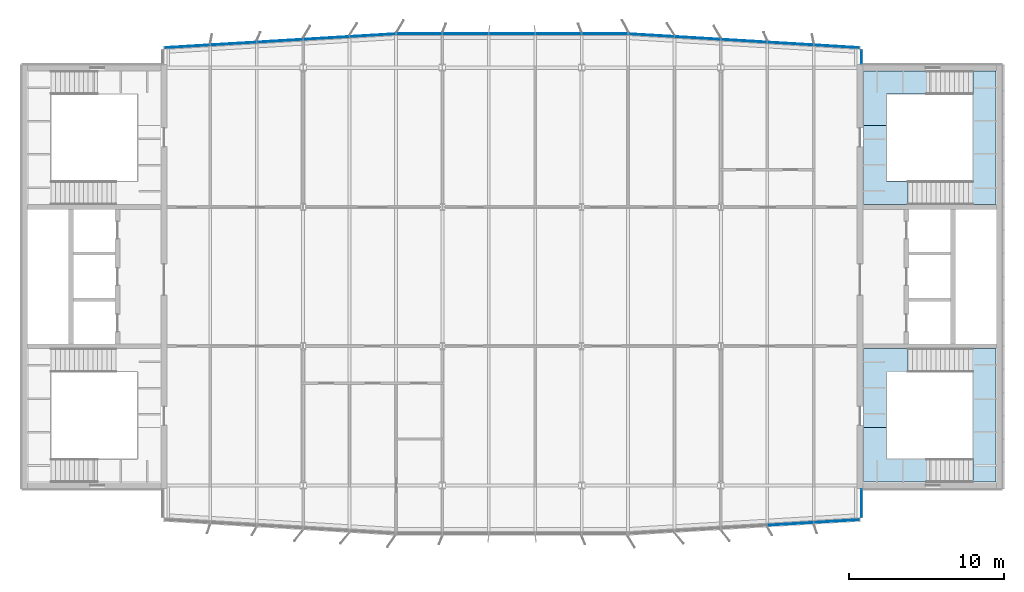
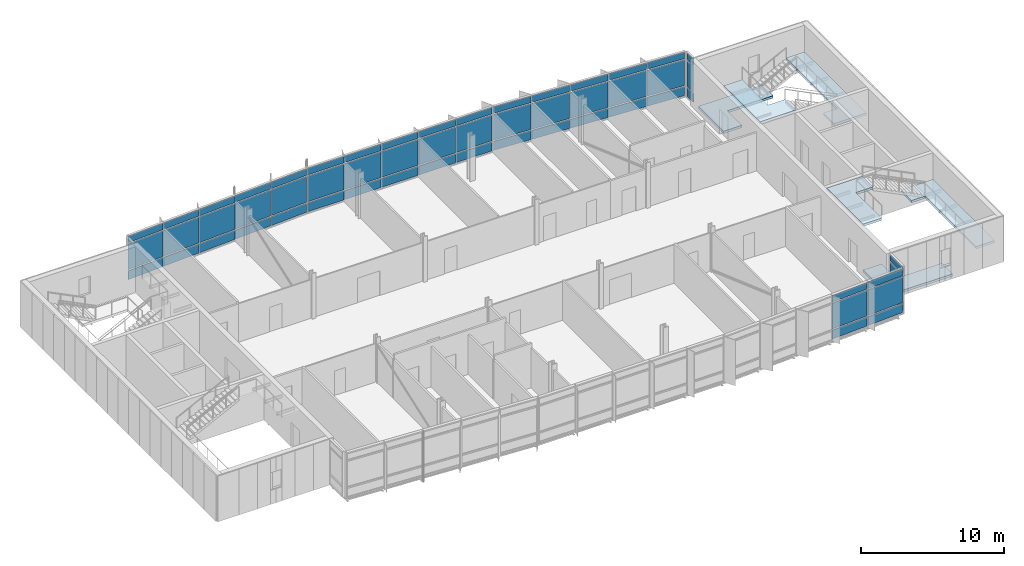
# One storey, part 11 of 18: 57 plates, 6 slabs, 8 elements without a shape of their own.
"""IFC4 building model written with IfcOpenShell, lengths in metres."""

from ifc_helpers import new_model, si_unit, direction, frame, origin, origin_2d, place, context, subcontext, project, spatial, polyline, rectangle, outline, extrude, material, layer, layer_set, type_object, element, aggregate, save


model = new_model("IFC4")

# Units and contexts
model_context = context("Model", 3, precision=1e-05, world=origin(), true_north=direction((0.0, 1.0)))
body_context = subcontext(model_context, "Body", "Model", "MODEL_VIEW")
ifc_project = project(units=[si_unit("LENGTHUNIT", "METRE"), si_unit("AREAUNIT", "SQUARE_METRE"), si_unit("VOLUMEUNIT", "CUBIC_METRE"), si_unit("PLANEANGLEUNIT", "RADIAN"), si_unit("MASSUNIT", "GRAM", prefix="KILO")], contexts=[model_context])

# Site, building, storey
site_placement = place(None, origin())
site = spatial("IfcSite", under=ifc_project, at=site_placement, CompositionType="ELEMENT")
building_placement = place(site_placement, origin())
building = spatial("IfcBuilding", under=site, at=building_placement, Name="Azimuth Sports and Learning Centre", CompositionType="ELEMENT")
storey_placement = place(building_placement, frame((0.0, 0.0, 55.800048828125)))
storey = spatial("IfcBuildingStorey", under=building, at=storey_placement, Name="L12", CompositionType="ELEMENT", Elevation=55.800048828125)

# Stair, slabs
ifc_material_1 = material(Name="Concrete C32/40", Category="concrete")
stair_type = type_object("IfcStairType", Name="Square-well stair core 3900 storey", PredefinedType="THREE_QUARTER_TURN_STAIR", material=ifc_material_1)
stair_1_placement = place(storey_placement, origin())
stair_1 = element("IfcStair", 1, at=stair_1_placement, inside=storey, type_object=stair_type, Name="Stair E1 L12-L13", PredefinedType="THREE_QUARTER_TURN_STAIR")
ifc_material_2 = material(Name="Concrete C32/40", Category="concrete")
ifc_layer_1 = layer(ifc_material_2, 0.199951171875)
ifc_layer_set_1 = layer_set([ifc_layer_1], Name="Concrete C32/40")
slab_type = type_object("IfcSlabType", Name="Concrete stair landing", PredefinedType="LANDING", material=ifc_layer_set_1)
slab_1_placement = place(storey_placement, frame((0.0, 0.0, -0.199951171875)))
slab_1 = element("IfcSlab", 2, at=slab_1_placement, type_object=slab_type, Name="Stair E1 L12 landing 1", PredefinedType="LANDING", context=body_context, shape_type="SweptSolid", body=[
    extrude(outline(polyline([(113.389892578125, 91.7099609375), (109.7099609375, 91.7099609375), (109.7099609375, 93.75), (108.2099609375, 93.75), (108.2099609375, 90.2099609375), (113.389892578125, 90.2099609375), (113.389892578125, 91.7099609375)])), origin(), (0.0, 0.0, 1.0), 0.199951171875),
])
slab_2_placement = place(storey_placement, frame((0.0, 0.0, 1.449951171875)))
slab_2 = element("IfcSlab", 3, at=slab_2_placement, type_object=slab_type, Name="Stair E1 L12 landing 2", PredefinedType="LANDING", context=body_context, shape_type="SweptSolid", body=[
    extrude(outline(polyline([(115.2900390625, 91.7099609375), (115.289306640625, 91.7099609375), (115.289306640625, 90.2099609375), (116.7900390625, 90.2099609375), (116.7900390625, 98.840087890625), (114.18994140625, 98.840087890625), (114.18994140625, 97.340087890625), (115.2900390625, 97.340087890625), (115.2900390625, 91.7099609375)])), origin(), (0.0, 0.0, 1.0), 0.199951171875),
])
slab_3_placement = place(storey_placement, frame((0.0, 0.0, 3.699951171875)))
slab_3 = element("IfcSlab", 4, at=slab_3_placement, type_object=slab_type, Name="Stair E1 L12 landing 3", PredefinedType="LANDING", context=body_context, shape_type="SweptSolid", body=[
    extrude(outline(polyline([(109.7099609375, 97.340087890625), (111.0908203125, 97.340087890625), (111.0908203125, 98.840087890625), (108.2099609375, 98.840087890625), (108.2099609375, 93.75), (109.7099609375, 93.75), (109.7099609375, 97.340087890625)])), origin(), (0.0, 0.0, 1.0), 0.199951171875),
])
aggregate(stair_1, [slab_1, slab_2, slab_3])

stair_2_placement = place(storey_placement, origin())
stair_2 = element("IfcStair", 5, at=stair_2_placement, inside=storey, type_object=stair_type, Name="Stair E2 L12-L13", PredefinedType="THREE_QUARTER_TURN_STAIR")
slab_4_placement = place(storey_placement, frame((0.0, 0.0, -0.199951171875)))
slab_4 = element("IfcSlab", 6, at=slab_4_placement, type_object=slab_type, Name="Stair E2 L12 landing 1", PredefinedType="LANDING", context=body_context, shape_type="SweptSolid", body=[
    extrude(outline(polyline([(108.2099609375, 116.7900390625), (108.2099609375, 113.25), (109.7099609375, 113.25), (109.7099609375, 115.2900390625), (113.389892578125, 115.2900390625), (113.389892578125, 116.7900390625), (108.2099609375, 116.7900390625)])), origin(), (0.0, 0.0, 1.0), 0.199951171875),
])
slab_5_placement = place(storey_placement, frame((0.0, 0.0, 1.449951171875)))
slab_5 = element("IfcSlab", 7, at=slab_5_placement, type_object=slab_type, Name="Stair E2 L12 landing 2", PredefinedType="LANDING", context=body_context, shape_type="SweptSolid", body=[
    extrude(outline(polyline([(115.2900390625, 115.2900390625), (115.2900390625, 109.659912109375), (114.18994140625, 109.659912109375), (114.18994140625, 108.159912109375), (116.7900390625, 108.159912109375), (116.7900390625, 116.7900390625), (115.289306640625, 116.7900390625), (115.289306640625, 115.2900390625), (115.2900390625, 115.2900390625)])), origin(), (0.0, 0.0, 1.0), 0.199951171875),
])
slab_6_placement = place(storey_placement, frame((0.0, 0.0, 3.699951171875)))
slab_6 = element("IfcSlab", 8, at=slab_6_placement, type_object=slab_type, Name="Stair E2 L12 landing 3", PredefinedType="LANDING", context=body_context, shape_type="SweptSolid", body=[
    extrude(outline(polyline([(109.7099609375, 109.659912109375), (109.7099609375, 113.25), (108.2099609375, 113.25), (108.2099609375, 108.159912109375), (111.0908203125, 108.159912109375), (111.0908203125, 109.659912109375), (109.7099609375, 109.659912109375)])), origin(), (0.0, 0.0, 1.0), 0.199951171875),
])
aggregate(stair_2, [slab_4, slab_5, slab_6])

# Curtain wall, plates
ifc_material_3 = material(Name="Aluminium and glass", Category="aluminium")
curtain_wall_type_1 = type_object("IfcCurtainWallType", Name="Curtain wall tower south 240", PredefinedType="NOTDEFINED", material=ifc_material_3)
curtain_wall_1_placement = place(storey_placement, origin())
curtain_wall_1 = element("IfcCurtainWall", 9, at=curtain_wall_1_placement, inside=storey, type_object=curtain_wall_type_1, Name="Curtain wall CW12-004", PredefinedType="NOTDEFINED")
ifc_material_4 = material(Name="Insulated aluminium panel", Category="aluminium")
ifc_layer_2 = layer(ifc_material_4, 0.050048828125)
ifc_layer_set_2 = layer_set([ifc_layer_2], Name="Insulated aluminium panel")
plate_type_1 = type_object("IfcPlateType", Name="Spandrel panel 50 mm", PredefinedType="CURTAIN_PANEL", material=ifc_layer_set_2)
plate_1_placement = place(storey_placement, frame((103.507080078125, 87.51025390625, 0.099853515625), z_axis=(0.0, 0.0, 1.0), x_axis=(0.998204863401, 0.059891991812, 0.0)))
plate_1 = element("IfcPlate", 10, at=plate_1_placement, type_object=plate_type_1, Name="CW12-004 panel 4.1", PredefinedType="CURTAIN_PANEL", context=body_context, shape_type="SweptSolid", body=[
    extrude(rectangle(XDim=2.935302734375, YDim=0.050048828125, at=origin_2d()), origin(), (0.0, 0.0, 1.0), 0.75),
])
plate_2_placement = place(storey_placement, frame((103.507080078125, 87.51025390625, 3.25), z_axis=(0.0, 0.0, 1.0), x_axis=(0.998204863401, 0.059891991812, 0.0)))
plate_2 = element("IfcPlate", 11, at=plate_2_placement, type_object=plate_type_1, Name="CW12-004 panel 4.3", PredefinedType="CURTAIN_PANEL", context=body_context, shape_type="SweptSolid", body=[
    extrude(rectangle(XDim=2.935302734375, YDim=0.050048828125, at=origin_2d()), origin(), (0.0, 0.0, 1.0), 0.550048828125),
])
plate_3_placement = place(storey_placement, frame((106.48974609375, 87.689208984375, 0.099853515625), z_axis=(0.0, 0.0, 1.0), x_axis=(0.998204863401, 0.059891991812, 0.0)))
plate_3 = element("IfcPlate", 12, at=plate_3_placement, type_object=plate_type_1, Name="CW12-004 panel 5.1", PredefinedType="CURTAIN_PANEL", context=body_context, shape_type="SweptSolid", body=[
    extrude(rectangle(XDim=2.900390625, YDim=0.050048828125, at=origin_2d()), origin(), (0.0, 0.0, 1.0), 0.75),
])
plate_4_placement = place(storey_placement, frame((106.48974609375, 87.689208984375, 3.25), z_axis=(0.0, 0.0, 1.0), x_axis=(0.998204863401, 0.059891991812, 0.0)))
plate_4 = element("IfcPlate", 13, at=plate_4_placement, type_object=plate_type_1, Name="CW12-004 panel 5.3", PredefinedType="CURTAIN_PANEL", context=body_context, shape_type="SweptSolid", body=[
    extrude(rectangle(XDim=2.900390625, YDim=0.050048828125, at=origin_2d()), origin(), (0.0, 0.0, 1.0), 0.550048828125),
])

ifc_material_5 = material(Name="Aluminium and glass", Category="aluminium")
curtain_wall_type_2 = type_object("IfcCurtainWallType", Name="Curtain wall tower return 180", PredefinedType="NOTDEFINED", material=ifc_material_5)
curtain_wall_2_placement = place(storey_placement, origin())
curtain_wall_2 = element("IfcCurtainWall", 14, at=curtain_wall_2_placement, inside=storey, type_object=curtain_wall_type_2, Name="Curtain wall CW12-005", PredefinedType="NOTDEFINED")
plate_5_placement = place(storey_placement, frame((108.090087890625, 88.85009765625, 0.099853515625), z_axis=(0.0, 0.0, 1.0), x_axis=(0.0, 1.0, 0.0)))
plate_5 = element("IfcPlate", 15, at=plate_5_placement, type_object=plate_type_1, Name="CW12-005 panel 1.1", PredefinedType="CURTAIN_PANEL", context=body_context, shape_type="SweptSolid", body=[
    extrude(rectangle(XDim=1.780029296875, YDim=0.050048828125, at=origin_2d()), origin(), (0.0, 0.0, 1.0), 0.75),
])
plate_6_placement = place(storey_placement, frame((108.090087890625, 88.85009765625, 3.25), z_axis=(0.0, 0.0, 1.0), x_axis=(0.0, 1.0, 0.0)))
plate_6 = element("IfcPlate", 16, at=plate_6_placement, type_object=plate_type_1, Name="CW12-005 panel 1.3", PredefinedType="CURTAIN_PANEL", context=body_context, shape_type="SweptSolid", body=[
    extrude(rectangle(XDim=1.780029296875, YDim=0.050048828125, at=origin_2d()), origin(), (0.0, 0.0, 1.0), 0.550048828125),
])

curtain_wall_3_placement = place(storey_placement, origin())
curtain_wall_3 = element("IfcCurtainWall", 17, at=curtain_wall_3_placement, inside=storey, type_object=curtain_wall_type_2, Name="Curtain wall CW12-006", PredefinedType="NOTDEFINED")
plate_7_placement = place(storey_placement, frame((108.090087890625, 117.699951171875, 0.099853515625), z_axis=(0.0, 0.0, 1.0), x_axis=(0.0, 1.0, 0.0)))
plate_7 = element("IfcPlate", 18, at=plate_7_placement, type_object=plate_type_1, Name="CW12-006 panel 1.1", PredefinedType="CURTAIN_PANEL", context=body_context, shape_type="SweptSolid", body=[
    extrude(rectangle(XDim=0.8798828125, YDim=0.050048828125, at=origin_2d()), origin(), (0.0, 0.0, 1.0), 0.75),
])
plate_8_placement = place(storey_placement, frame((108.090087890625, 117.699951171875, 3.25), z_axis=(0.0, 0.0, 1.0), x_axis=(0.0, 1.0, 0.0)))
plate_8 = element("IfcPlate", 19, at=plate_8_placement, type_object=plate_type_1, Name="CW12-006 panel 1.3", PredefinedType="CURTAIN_PANEL", context=body_context, shape_type="SweptSolid", body=[
    extrude(rectangle(XDim=0.8798828125, YDim=0.050048828125, at=origin_2d()), origin(), (0.0, 0.0, 1.0), 0.550048828125),
])

ifc_material_6 = material(Name="Aluminium and glass", Category="aluminium")
curtain_wall_type_3 = type_object("IfcCurtainWallType", Name="Curtain wall tower north 180", PredefinedType="NOTDEFINED", material=ifc_material_6)
curtain_wall_4_placement = place(storey_placement, origin())
curtain_wall_4 = element("IfcCurtainWall", 20, at=curtain_wall_4_placement, inside=storey, type_object=curtain_wall_type_3, Name="Curtain wall CW12-007", PredefinedType="NOTDEFINED")
plate_9_placement = place(storey_placement, frame((106.490478515625, 118.380615234375, 0.099853515625), z_axis=(0.0, 0.0, 1.0), x_axis=(-0.998204863401, 0.059891991812, 0.0)))
plate_9 = element("IfcPlate", 21, at=plate_9_placement, type_object=plate_type_1, Name="CW12-007 panel 1.1", PredefinedType="CURTAIN_PANEL", context=body_context, shape_type="SweptSolid", body=[
    extrude(rectangle(XDim=2.915283203125, YDim=0.050048828125, at=origin_2d()), origin(), (0.0, 0.0, 1.0), 0.75),
])
plate_10_placement = place(storey_placement, frame((106.490478515625, 118.380615234375, 3.25), z_axis=(0.0, 0.0, 1.0), x_axis=(-0.998204863401, 0.059891991812, 0.0)))
plate_10 = element("IfcPlate", 22, at=plate_10_placement, type_object=plate_type_1, Name="CW12-007 panel 1.3", PredefinedType="CURTAIN_PANEL", context=body_context, shape_type="SweptSolid", body=[
    extrude(rectangle(XDim=2.915283203125, YDim=0.050048828125, at=origin_2d()), origin(), (0.0, 0.0, 1.0), 0.550048828125),
])
plate_11_placement = place(storey_placement, frame((103.50537109375, 118.559814453125, 0.099853515625), z_axis=(0.0, 0.0, 1.0), x_axis=(-0.998204863401, 0.059891991812, 0.0)))
plate_11 = element("IfcPlate", 23, at=plate_11_placement, type_object=plate_type_1, Name="CW12-007 panel 2.1", PredefinedType="CURTAIN_PANEL", context=body_context, shape_type="SweptSolid", body=[
    extrude(rectangle(XDim=2.9453125, YDim=0.050048828125, at=origin_2d()), origin(), (0.0, 0.0, 1.0), 0.75),
])
plate_12_placement = place(storey_placement, frame((103.50537109375, 118.559814453125, 3.25), z_axis=(0.0, 0.0, 1.0), x_axis=(-0.998204863401, 0.059891991812, 0.0)))
plate_12 = element("IfcPlate", 24, at=plate_12_placement, type_object=plate_type_1, Name="CW12-007 panel 2.3", PredefinedType="CURTAIN_PANEL", context=body_context, shape_type="SweptSolid", body=[
    extrude(rectangle(XDim=2.9453125, YDim=0.050048828125, at=origin_2d()), origin(), (0.0, 0.0, 1.0), 0.550048828125),
])
plate_13_placement = place(storey_placement, frame((100.50537109375, 118.73974609375, 0.099853515625), z_axis=(0.0, 0.0, 1.0), x_axis=(-0.998204863401, 0.059891991812, 0.0)))
plate_13 = element("IfcPlate", 25, at=plate_13_placement, type_object=plate_type_1, Name="CW12-007 panel 3.1", PredefinedType="CURTAIN_PANEL", context=body_context, shape_type="SweptSolid", body=[
    extrude(rectangle(XDim=2.9453125, YDim=0.050048828125, at=origin_2d()), origin(), (0.0, 0.0, 1.0), 0.75),
])
plate_14_placement = place(storey_placement, frame((100.50537109375, 118.73974609375, 3.25), z_axis=(0.0, 0.0, 1.0), x_axis=(-0.998204863401, 0.059891991812, 0.0)))
plate_14 = element("IfcPlate", 26, at=plate_14_placement, type_object=plate_type_1, Name="CW12-007 panel 3.3", PredefinedType="CURTAIN_PANEL", context=body_context, shape_type="SweptSolid", body=[
    extrude(rectangle(XDim=2.9453125, YDim=0.050048828125, at=origin_2d()), origin(), (0.0, 0.0, 1.0), 0.550048828125),
])
plate_15_placement = place(storey_placement, frame((97.50537109375, 118.919921875, 0.099853515625), z_axis=(0.0, 0.0, 1.0), x_axis=(-0.998204863401, 0.059891991812, 0.0)))
plate_15 = element("IfcPlate", 27, at=plate_15_placement, type_object=plate_type_1, Name="CW12-007 panel 4.1", PredefinedType="CURTAIN_PANEL", context=body_context, shape_type="SweptSolid", body=[
    extrude(rectangle(XDim=2.9453125, YDim=0.050048828125, at=origin_2d()), origin(), (0.0, 0.0, 1.0), 0.75),
])
plate_16_placement = place(storey_placement, frame((97.50537109375, 118.919921875, 3.25), z_axis=(0.0, 0.0, 1.0), x_axis=(-0.998204863401, 0.059891991812, 0.0)))
plate_16 = element("IfcPlate", 28, at=plate_16_placement, type_object=plate_type_1, Name="CW12-007 panel 4.3", PredefinedType="CURTAIN_PANEL", context=body_context, shape_type="SweptSolid", body=[
    extrude(rectangle(XDim=2.9453125, YDim=0.050048828125, at=origin_2d()), origin(), (0.0, 0.0, 1.0), 0.550048828125),
])
plate_17_placement = place(storey_placement, frame((94.520263671875, 119.098876953125, 0.099853515625), z_axis=(0.0, 0.0, 1.0), x_axis=(-0.998204863401, 0.059891991812, 0.0)))
plate_17 = element("IfcPlate", 29, at=plate_17_placement, type_object=plate_type_1, Name="CW12-007 panel 5.1", PredefinedType="CURTAIN_PANEL", context=body_context, shape_type="SweptSolid", body=[
    extrude(rectangle(XDim=2.915283203125, YDim=0.050048828125, at=origin_2d()), origin(), (0.0, 0.0, 1.0), 0.75),
])
plate_18_placement = place(storey_placement, frame((94.520263671875, 119.098876953125, 3.25), z_axis=(0.0, 0.0, 1.0), x_axis=(-0.998204863401, 0.059891991812, 0.0)))
plate_18 = element("IfcPlate", 30, at=plate_18_placement, type_object=plate_type_1, Name="CW12-007 panel 5.3", PredefinedType="CURTAIN_PANEL", context=body_context, shape_type="SweptSolid", body=[
    extrude(rectangle(XDim=2.915283203125, YDim=0.050048828125, at=origin_2d()), origin(), (0.0, 0.0, 1.0), 0.550048828125),
])

curtain_wall_5_placement = place(storey_placement, origin())
curtain_wall_5 = element("IfcCurtainWall", 31, at=curtain_wall_5_placement, inside=storey, type_object=curtain_wall_type_3, Name="Curtain wall CW12-008", PredefinedType="NOTDEFINED")
plate_19_placement = place(storey_placement, frame((91.48779296875, 119.18994140625, 0.099853515625), z_axis=(0.0, 0.0, 1.0), x_axis=(-1.0, 0.0, 0.0)))
plate_19 = element("IfcPlate", 32, at=plate_19_placement, type_object=plate_type_1, Name="CW12-008 panel 1.1", PredefinedType="CURTAIN_PANEL", context=body_context, shape_type="SweptSolid", body=[
    extrude(rectangle(XDim=2.915283203125, YDim=0.050048828125, at=origin_2d()), origin(), (0.0, 0.0, 1.0), 0.75),
])
plate_20_placement = place(storey_placement, frame((91.48779296875, 119.18994140625, 3.25), z_axis=(0.0, 0.0, 1.0), x_axis=(-1.0, 0.0, 0.0)))
plate_20 = element("IfcPlate", 33, at=plate_20_placement, type_object=plate_type_1, Name="CW12-008 panel 1.3", PredefinedType="CURTAIN_PANEL", context=body_context, shape_type="SweptSolid", body=[
    extrude(rectangle(XDim=2.915283203125, YDim=0.050048828125, at=origin_2d()), origin(), (0.0, 0.0, 1.0), 0.550048828125),
])
plate_21_placement = place(storey_placement, frame((88.5, 119.18994140625, 0.099853515625), z_axis=(0.0, 0.0, 1.0), x_axis=(-1.0, 0.0, 0.0)))
plate_21 = element("IfcPlate", 34, at=plate_21_placement, type_object=plate_type_1, Name="CW12-008 panel 2.1", PredefinedType="CURTAIN_PANEL", context=body_context, shape_type="SweptSolid", body=[
    extrude(rectangle(XDim=2.93994140625, YDim=0.050048828125, at=origin_2d()), origin(), (0.0, 0.0, 1.0), 0.75),
])
plate_22_placement = place(storey_placement, frame((88.5, 119.18994140625, 3.25), z_axis=(0.0, 0.0, 1.0), x_axis=(-1.0, 0.0, 0.0)))
plate_22 = element("IfcPlate", 35, at=plate_22_placement, type_object=plate_type_1, Name="CW12-008 panel 2.3", PredefinedType="CURTAIN_PANEL", context=body_context, shape_type="SweptSolid", body=[
    extrude(rectangle(XDim=2.93994140625, YDim=0.050048828125, at=origin_2d()), origin(), (0.0, 0.0, 1.0), 0.550048828125),
])
plate_23_placement = place(storey_placement, frame((85.5, 119.18994140625, 0.099853515625), z_axis=(0.0, 0.0, 1.0), x_axis=(-1.0, 0.0, 0.0)))
plate_23 = element("IfcPlate", 36, at=plate_23_placement, type_object=plate_type_1, Name="CW12-008 panel 3.1", PredefinedType="CURTAIN_PANEL", context=body_context, shape_type="SweptSolid", body=[
    extrude(rectangle(XDim=2.93994140625, YDim=0.050048828125, at=origin_2d()), origin(), (0.0, 0.0, 1.0), 0.75),
])
plate_24_placement = place(storey_placement, frame((85.5, 119.18994140625, 3.25), z_axis=(0.0, 0.0, 1.0), x_axis=(-1.0, 0.0, 0.0)))
plate_24 = element("IfcPlate", 37, at=plate_24_placement, type_object=plate_type_1, Name="CW12-008 panel 3.3", PredefinedType="CURTAIN_PANEL", context=body_context, shape_type="SweptSolid", body=[
    extrude(rectangle(XDim=2.93994140625, YDim=0.050048828125, at=origin_2d()), origin(), (0.0, 0.0, 1.0), 0.550048828125),
])
plate_25_placement = place(storey_placement, frame((82.5, 119.18994140625, 0.099853515625), z_axis=(0.0, 0.0, 1.0), x_axis=(-1.0, 0.0, 0.0)))
plate_25 = element("IfcPlate", 38, at=plate_25_placement, type_object=plate_type_1, Name="CW12-008 panel 4.1", PredefinedType="CURTAIN_PANEL", context=body_context, shape_type="SweptSolid", body=[
    extrude(rectangle(XDim=2.93994140625, YDim=0.050048828125, at=origin_2d()), origin(), (0.0, 0.0, 1.0), 0.75),
])
plate_26_placement = place(storey_placement, frame((82.5, 119.18994140625, 3.25), z_axis=(0.0, 0.0, 1.0), x_axis=(-1.0, 0.0, 0.0)))
plate_26 = element("IfcPlate", 39, at=plate_26_placement, type_object=plate_type_1, Name="CW12-008 panel 4.3", PredefinedType="CURTAIN_PANEL", context=body_context, shape_type="SweptSolid", body=[
    extrude(rectangle(XDim=2.93994140625, YDim=0.050048828125, at=origin_2d()), origin(), (0.0, 0.0, 1.0), 0.550048828125),
])
plate_27_placement = place(storey_placement, frame((79.514892578125, 119.18994140625, 0.099853515625), z_axis=(0.0, 0.0, 1.0), x_axis=(-1.0, 0.0, 0.0)))
plate_27 = element("IfcPlate", 40, at=plate_27_placement, type_object=plate_type_1, Name="CW12-008 panel 5.1", PredefinedType="CURTAIN_PANEL", context=body_context, shape_type="SweptSolid", body=[
    extrude(rectangle(XDim=2.909912109375, YDim=0.050048828125, at=origin_2d()), origin(), (0.0, 0.0, 1.0), 0.75),
])
plate_28_placement = place(storey_placement, frame((79.514892578125, 119.18994140625, 3.25), z_axis=(0.0, 0.0, 1.0), x_axis=(-1.0, 0.0, 0.0)))
plate_28 = element("IfcPlate", 41, at=plate_28_placement, type_object=plate_type_1, Name="CW12-008 panel 5.3", PredefinedType="CURTAIN_PANEL", context=body_context, shape_type="SweptSolid", body=[
    extrude(rectangle(XDim=2.909912109375, YDim=0.050048828125, at=origin_2d()), origin(), (0.0, 0.0, 1.0), 0.550048828125),
])

curtain_wall_6_placement = place(storey_placement, origin())
curtain_wall_6 = element("IfcCurtainWall", 42, at=curtain_wall_6_placement, inside=storey, type_object=curtain_wall_type_3, Name="Curtain wall CW12-009", PredefinedType="NOTDEFINED")
plate_29_placement = place(storey_placement, frame((76.482421875, 119.09912109375, 0.099853515625), z_axis=(0.0, 0.0, 1.0), x_axis=(-0.998204863401, -0.059891991812, 0.0)))
plate_29 = element("IfcPlate", 43, at=plate_29_placement, type_object=plate_type_1, Name="CW12-009 panel 1.1", PredefinedType="CURTAIN_PANEL", context=body_context, shape_type="SweptSolid", body=[
    extrude(rectangle(XDim=2.9208984375, YDim=0.050048828125, at=origin_2d()), origin(), (0.0, 0.0, 1.0), 0.75),
])
plate_30_placement = place(storey_placement, frame((76.482421875, 119.09912109375, 3.25), z_axis=(0.0, 0.0, 1.0), x_axis=(-0.998204863401, -0.059891991812, 0.0)))
plate_30 = element("IfcPlate", 44, at=plate_30_placement, type_object=plate_type_1, Name="CW12-009 panel 1.3", PredefinedType="CURTAIN_PANEL", context=body_context, shape_type="SweptSolid", body=[
    extrude(rectangle(XDim=2.9208984375, YDim=0.050048828125, at=origin_2d()), origin(), (0.0, 0.0, 1.0), 0.550048828125),
])
plate_31_placement = place(storey_placement, frame((73.49462890625, 118.919921875, 0.099853515625), z_axis=(0.0, 0.0, 1.0), x_axis=(-0.998204863401, -0.059891991812, 0.0)))
plate_31 = element("IfcPlate", 45, at=plate_31_placement, type_object=plate_type_1, Name="CW12-009 panel 2.1", PredefinedType="CURTAIN_PANEL", context=body_context, shape_type="SweptSolid", body=[
    extrude(rectangle(XDim=2.9453125, YDim=0.050048828125, at=origin_2d()), origin(), (0.0, 0.0, 1.0), 0.75),
])
plate_32_placement = place(storey_placement, frame((73.49462890625, 118.919921875, 3.25), z_axis=(0.0, 0.0, 1.0), x_axis=(-0.998204863401, -0.059891991812, 0.0)))
plate_32 = element("IfcPlate", 46, at=plate_32_placement, type_object=plate_type_1, Name="CW12-009 panel 2.3", PredefinedType="CURTAIN_PANEL", context=body_context, shape_type="SweptSolid", body=[
    extrude(rectangle(XDim=2.9453125, YDim=0.050048828125, at=origin_2d()), origin(), (0.0, 0.0, 1.0), 0.550048828125),
])
plate_33_placement = place(storey_placement, frame((70.49462890625, 118.73974609375, 0.099853515625), z_axis=(0.0, 0.0, 1.0), x_axis=(-0.998204863401, -0.059891991812, 0.0)))
plate_33 = element("IfcPlate", 47, at=plate_33_placement, type_object=plate_type_1, Name="CW12-009 panel 3.1", PredefinedType="CURTAIN_PANEL", context=body_context, shape_type="SweptSolid", body=[
    extrude(rectangle(XDim=2.9453125, YDim=0.050048828125, at=origin_2d()), origin(), (0.0, 0.0, 1.0), 0.75),
])
plate_34_placement = place(storey_placement, frame((70.49462890625, 118.73974609375, 3.25), z_axis=(0.0, 0.0, 1.0), x_axis=(-0.998204863401, -0.059891991812, 0.0)))
plate_34 = element("IfcPlate", 48, at=plate_34_placement, type_object=plate_type_1, Name="CW12-009 panel 3.3", PredefinedType="CURTAIN_PANEL", context=body_context, shape_type="SweptSolid", body=[
    extrude(rectangle(XDim=2.9453125, YDim=0.050048828125, at=origin_2d()), origin(), (0.0, 0.0, 1.0), 0.550048828125),
])
plate_35_placement = place(storey_placement, frame((67.49462890625, 118.559814453125, 0.099853515625), z_axis=(0.0, 0.0, 1.0), x_axis=(-0.998204863401, -0.059891991812, 0.0)))
plate_35 = element("IfcPlate", 49, at=plate_35_placement, type_object=plate_type_1, Name="CW12-009 panel 4.1", PredefinedType="CURTAIN_PANEL", context=body_context, shape_type="SweptSolid", body=[
    extrude(rectangle(XDim=2.9453125, YDim=0.050048828125, at=origin_2d()), origin(), (0.0, 0.0, 1.0), 0.75),
])
plate_36_placement = place(storey_placement, frame((67.49462890625, 118.559814453125, 3.25), z_axis=(0.0, 0.0, 1.0), x_axis=(-0.998204863401, -0.059891991812, 0.0)))
plate_36 = element("IfcPlate", 50, at=plate_36_placement, type_object=plate_type_1, Name="CW12-009 panel 4.3", PredefinedType="CURTAIN_PANEL", context=body_context, shape_type="SweptSolid", body=[
    extrude(rectangle(XDim=2.9453125, YDim=0.050048828125, at=origin_2d()), origin(), (0.0, 0.0, 1.0), 0.550048828125),
])
plate_37_placement = place(storey_placement, frame((64.509521484375, 118.380859375, 0.099853515625), z_axis=(0.0, 0.0, 1.0), x_axis=(-0.998204863401, -0.059891991812, 0.0)))
plate_37 = element("IfcPlate", 51, at=plate_37_placement, type_object=plate_type_1, Name="CW12-009 panel 5.1", PredefinedType="CURTAIN_PANEL", context=body_context, shape_type="SweptSolid", body=[
    extrude(rectangle(XDim=2.915283203125, YDim=0.050048828125, at=origin_2d()), origin(), (0.0, 0.0, 1.0), 0.75),
])
plate_38_placement = place(storey_placement, frame((64.509521484375, 118.380859375, 3.25), z_axis=(0.0, 0.0, 1.0), x_axis=(-0.998204863401, -0.059891991812, 0.0)))
plate_38 = element("IfcPlate", 52, at=plate_38_placement, type_object=plate_type_1, Name="CW12-009 panel 5.3", PredefinedType="CURTAIN_PANEL", context=body_context, shape_type="SweptSolid", body=[
    extrude(rectangle(XDim=2.915283203125, YDim=0.050048828125, at=origin_2d()), origin(), (0.0, 0.0, 1.0), 0.550048828125),
])

# Plate
ifc_material_7 = material(Name="Glass", Category="glass")
ifc_layer_3 = layer(ifc_material_7, 0.031982421875)
ifc_layer_set_3 = layer_set([ifc_layer_3], Name="Glass")
plate_type_2 = type_object("IfcPlateType", Name="Vision glass 32 mm", PredefinedType="CURTAIN_PANEL", material=ifc_layer_set_3)
plate_39_placement = place(storey_placement, frame((103.507080078125, 87.51025390625, 0.9501953125), z_axis=(0.0, 0.0, 1.0), x_axis=(0.998204863401, 0.059891991812, 0.0)))
plate_39 = element("IfcPlate", 53, at=plate_39_placement, type_object=plate_type_2, Name="CW12-004 panel 4.2", PredefinedType="CURTAIN_PANEL", context=body_context, shape_type="SweptSolid", body=[
    extrude(rectangle(XDim=2.935302734375, YDim=0.031982421875, at=origin_2d()), origin(), (0.0, 0.0, 1.0), 2.199951171875),
])

plate_40_placement = place(storey_placement, frame((106.48974609375, 87.689208984375, 0.9501953125), z_axis=(0.0, 0.0, 1.0), x_axis=(0.998204863401, 0.059891991812, 0.0)))
plate_40 = element("IfcPlate", 54, at=plate_40_placement, type_object=plate_type_2, Name="CW12-004 panel 5.2", PredefinedType="CURTAIN_PANEL", context=body_context, shape_type="SweptSolid", body=[
    extrude(rectangle(XDim=2.900390625, YDim=0.031982421875, at=origin_2d()), origin(), (0.0, 0.0, 1.0), 2.199951171875),
])

aggregate(curtain_wall_1, [plate_1, plate_39, plate_2, plate_3, plate_40, plate_4])

plate_41_placement = place(storey_placement, frame((108.090087890625, 88.85009765625, 0.9501953125), z_axis=(0.0, 0.0, 1.0), x_axis=(0.0, 1.0, 0.0)))
plate_41 = element("IfcPlate", 55, at=plate_41_placement, type_object=plate_type_2, Name="CW12-005 panel 1.2", PredefinedType="CURTAIN_PANEL", context=body_context, shape_type="SweptSolid", body=[
    extrude(rectangle(XDim=1.780029296875, YDim=0.031982421875, at=origin_2d()), origin(), (0.0, 0.0, 1.0), 2.199951171875),
])

aggregate(curtain_wall_2, [plate_5, plate_41, plate_6])

plate_42_placement = place(storey_placement, frame((108.090087890625, 117.699951171875, 0.9501953125), z_axis=(0.0, 0.0, 1.0), x_axis=(0.0, 1.0, 0.0)))
plate_42 = element("IfcPlate", 56, at=plate_42_placement, type_object=plate_type_2, Name="CW12-006 panel 1.2", PredefinedType="CURTAIN_PANEL", context=body_context, shape_type="SweptSolid", body=[
    extrude(rectangle(XDim=0.8798828125, YDim=0.031982421875, at=origin_2d()), origin(), (0.0, 0.0, 1.0), 2.199951171875),
])

aggregate(curtain_wall_3, [plate_7, plate_42, plate_8])

plate_43_placement = place(storey_placement, frame((106.490478515625, 118.380615234375, 0.9501953125), z_axis=(0.0, 0.0, 1.0), x_axis=(-0.998204863401, 0.059891991812, 0.0)))
plate_43 = element("IfcPlate", 57, at=plate_43_placement, type_object=plate_type_2, Name="CW12-007 panel 1.2", PredefinedType="CURTAIN_PANEL", context=body_context, shape_type="SweptSolid", body=[
    extrude(rectangle(XDim=2.915283203125, YDim=0.031982421875, at=origin_2d()), origin(), (0.0, 0.0, 1.0), 2.199951171875),
])

plate_44_placement = place(storey_placement, frame((103.50537109375, 118.559814453125, 0.9501953125), z_axis=(0.0, 0.0, 1.0), x_axis=(-0.998204863401, 0.059891991812, 0.0)))
plate_44 = element("IfcPlate", 58, at=plate_44_placement, type_object=plate_type_2, Name="CW12-007 panel 2.2", PredefinedType="CURTAIN_PANEL", context=body_context, shape_type="SweptSolid", body=[
    extrude(rectangle(XDim=2.9453125, YDim=0.031982421875, at=origin_2d()), origin(), (0.0, 0.0, 1.0), 2.199951171875),
])

plate_45_placement = place(storey_placement, frame((100.50537109375, 118.73974609375, 0.9501953125), z_axis=(0.0, 0.0, 1.0), x_axis=(-0.998204863401, 0.059891991812, 0.0)))
plate_45 = element("IfcPlate", 59, at=plate_45_placement, type_object=plate_type_2, Name="CW12-007 panel 3.2", PredefinedType="CURTAIN_PANEL", context=body_context, shape_type="SweptSolid", body=[
    extrude(rectangle(XDim=2.9453125, YDim=0.031982421875, at=origin_2d()), origin(), (0.0, 0.0, 1.0), 2.199951171875),
])

plate_46_placement = place(storey_placement, frame((97.50537109375, 118.919921875, 0.9501953125), z_axis=(0.0, 0.0, 1.0), x_axis=(-0.998204863401, 0.059891991812, 0.0)))
plate_46 = element("IfcPlate", 60, at=plate_46_placement, type_object=plate_type_2, Name="CW12-007 panel 4.2", PredefinedType="CURTAIN_PANEL", context=body_context, shape_type="SweptSolid", body=[
    extrude(rectangle(XDim=2.9453125, YDim=0.031982421875, at=origin_2d()), origin(), (0.0, 0.0, 1.0), 2.199951171875),
])

plate_47_placement = place(storey_placement, frame((94.520263671875, 119.098876953125, 0.9501953125), z_axis=(0.0, 0.0, 1.0), x_axis=(-0.998204863401, 0.059891991812, 0.0)))
plate_47 = element("IfcPlate", 61, at=plate_47_placement, type_object=plate_type_2, Name="CW12-007 panel 5.2", PredefinedType="CURTAIN_PANEL", context=body_context, shape_type="SweptSolid", body=[
    extrude(rectangle(XDim=2.915283203125, YDim=0.031982421875, at=origin_2d()), origin(), (0.0, 0.0, 1.0), 2.199951171875),
])

aggregate(curtain_wall_4, [plate_9, plate_43, plate_10, plate_11, plate_44, plate_12, plate_13, plate_45, plate_14, plate_15, plate_46, plate_16, plate_17, plate_47, plate_18])

plate_48_placement = place(storey_placement, frame((91.48779296875, 119.18994140625, 0.9501953125), z_axis=(0.0, 0.0, 1.0), x_axis=(-1.0, 0.0, 0.0)))
plate_48 = element("IfcPlate", 62, at=plate_48_placement, type_object=plate_type_2, Name="CW12-008 panel 1.2", PredefinedType="CURTAIN_PANEL", context=body_context, shape_type="SweptSolid", body=[
    extrude(rectangle(XDim=2.915283203125, YDim=0.031982421875, at=origin_2d()), origin(), (0.0, 0.0, 1.0), 2.199951171875),
])

plate_49_placement = place(storey_placement, frame((88.5, 119.18994140625, 0.9501953125), z_axis=(0.0, 0.0, 1.0), x_axis=(-1.0, 0.0, 0.0)))
plate_49 = element("IfcPlate", 63, at=plate_49_placement, type_object=plate_type_2, Name="CW12-008 panel 2.2", PredefinedType="CURTAIN_PANEL", context=body_context, shape_type="SweptSolid", body=[
    extrude(rectangle(XDim=2.93994140625, YDim=0.031982421875, at=origin_2d()), origin(), (0.0, 0.0, 1.0), 2.199951171875),
])

plate_50_placement = place(storey_placement, frame((85.5, 119.18994140625, 0.9501953125), z_axis=(0.0, 0.0, 1.0), x_axis=(-1.0, 0.0, 0.0)))
plate_50 = element("IfcPlate", 64, at=plate_50_placement, type_object=plate_type_2, Name="CW12-008 panel 3.2", PredefinedType="CURTAIN_PANEL", context=body_context, shape_type="SweptSolid", body=[
    extrude(rectangle(XDim=2.93994140625, YDim=0.031982421875, at=origin_2d()), origin(), (0.0, 0.0, 1.0), 2.199951171875),
])

plate_51_placement = place(storey_placement, frame((82.5, 119.18994140625, 0.9501953125), z_axis=(0.0, 0.0, 1.0), x_axis=(-1.0, 0.0, 0.0)))
plate_51 = element("IfcPlate", 65, at=plate_51_placement, type_object=plate_type_2, Name="CW12-008 panel 4.2", PredefinedType="CURTAIN_PANEL", context=body_context, shape_type="SweptSolid", body=[
    extrude(rectangle(XDim=2.93994140625, YDim=0.031982421875, at=origin_2d()), origin(), (0.0, 0.0, 1.0), 2.199951171875),
])

plate_52_placement = place(storey_placement, frame((79.514892578125, 119.18994140625, 0.9501953125), z_axis=(0.0, 0.0, 1.0), x_axis=(-1.0, 0.0, 0.0)))
plate_52 = element("IfcPlate", 66, at=plate_52_placement, type_object=plate_type_2, Name="CW12-008 panel 5.2", PredefinedType="CURTAIN_PANEL", context=body_context, shape_type="SweptSolid", body=[
    extrude(rectangle(XDim=2.909912109375, YDim=0.031982421875, at=origin_2d()), origin(), (0.0, 0.0, 1.0), 2.199951171875),
])

aggregate(curtain_wall_5, [plate_19, plate_48, plate_20, plate_21, plate_49, plate_22, plate_23, plate_50, plate_24, plate_25, plate_51, plate_26, plate_27, plate_52, plate_28])

plate_53_placement = place(storey_placement, frame((76.482421875, 119.09912109375, 0.9501953125), z_axis=(0.0, 0.0, 1.0), x_axis=(-0.998204863401, -0.059891991812, 0.0)))
plate_53 = element("IfcPlate", 67, at=plate_53_placement, type_object=plate_type_2, Name="CW12-009 panel 1.2", PredefinedType="CURTAIN_PANEL", context=body_context, shape_type="SweptSolid", body=[
    extrude(rectangle(XDim=2.9208984375, YDim=0.031982421875, at=origin_2d()), origin(), (0.0, 0.0, 1.0), 2.199951171875),
])

plate_54_placement = place(storey_placement, frame((73.49462890625, 118.919921875, 0.9501953125), z_axis=(0.0, 0.0, 1.0), x_axis=(-0.998204863401, -0.059891991812, 0.0)))
plate_54 = element("IfcPlate", 68, at=plate_54_placement, type_object=plate_type_2, Name="CW12-009 panel 2.2", PredefinedType="CURTAIN_PANEL", context=body_context, shape_type="SweptSolid", body=[
    extrude(rectangle(XDim=2.9453125, YDim=0.031982421875, at=origin_2d()), origin(), (0.0, 0.0, 1.0), 2.199951171875),
])

plate_55_placement = place(storey_placement, frame((70.49462890625, 118.73974609375, 0.9501953125), z_axis=(0.0, 0.0, 1.0), x_axis=(-0.998204863401, -0.059891991812, 0.0)))
plate_55 = element("IfcPlate", 69, at=plate_55_placement, type_object=plate_type_2, Name="CW12-009 panel 3.2", PredefinedType="CURTAIN_PANEL", context=body_context, shape_type="SweptSolid", body=[
    extrude(rectangle(XDim=2.9453125, YDim=0.031982421875, at=origin_2d()), origin(), (0.0, 0.0, 1.0), 2.199951171875),
])

plate_56_placement = place(storey_placement, frame((67.49462890625, 118.559814453125, 0.9501953125), z_axis=(0.0, 0.0, 1.0), x_axis=(-0.998204863401, -0.059891991812, 0.0)))
plate_56 = element("IfcPlate", 70, at=plate_56_placement, type_object=plate_type_2, Name="CW12-009 panel 4.2", PredefinedType="CURTAIN_PANEL", context=body_context, shape_type="SweptSolid", body=[
    extrude(rectangle(XDim=2.9453125, YDim=0.031982421875, at=origin_2d()), origin(), (0.0, 0.0, 1.0), 2.199951171875),
])

plate_57_placement = place(storey_placement, frame((64.509521484375, 118.380859375, 0.9501953125), z_axis=(0.0, 0.0, 1.0), x_axis=(-0.998204863401, -0.059891991812, 0.0)))
plate_57 = element("IfcPlate", 71, at=plate_57_placement, type_object=plate_type_2, Name="CW12-009 panel 5.2", PredefinedType="CURTAIN_PANEL", context=body_context, shape_type="SweptSolid", body=[
    extrude(rectangle(XDim=2.915283203125, YDim=0.031982421875, at=origin_2d()), origin(), (0.0, 0.0, 1.0), 2.199951171875),
])

aggregate(curtain_wall_6, [plate_29, plate_53, plate_30, plate_31, plate_54, plate_32, plate_33, plate_55, plate_34, plate_35, plate_56, plate_36, plate_37, plate_57, plate_38])

save(model, "model.ifc")
